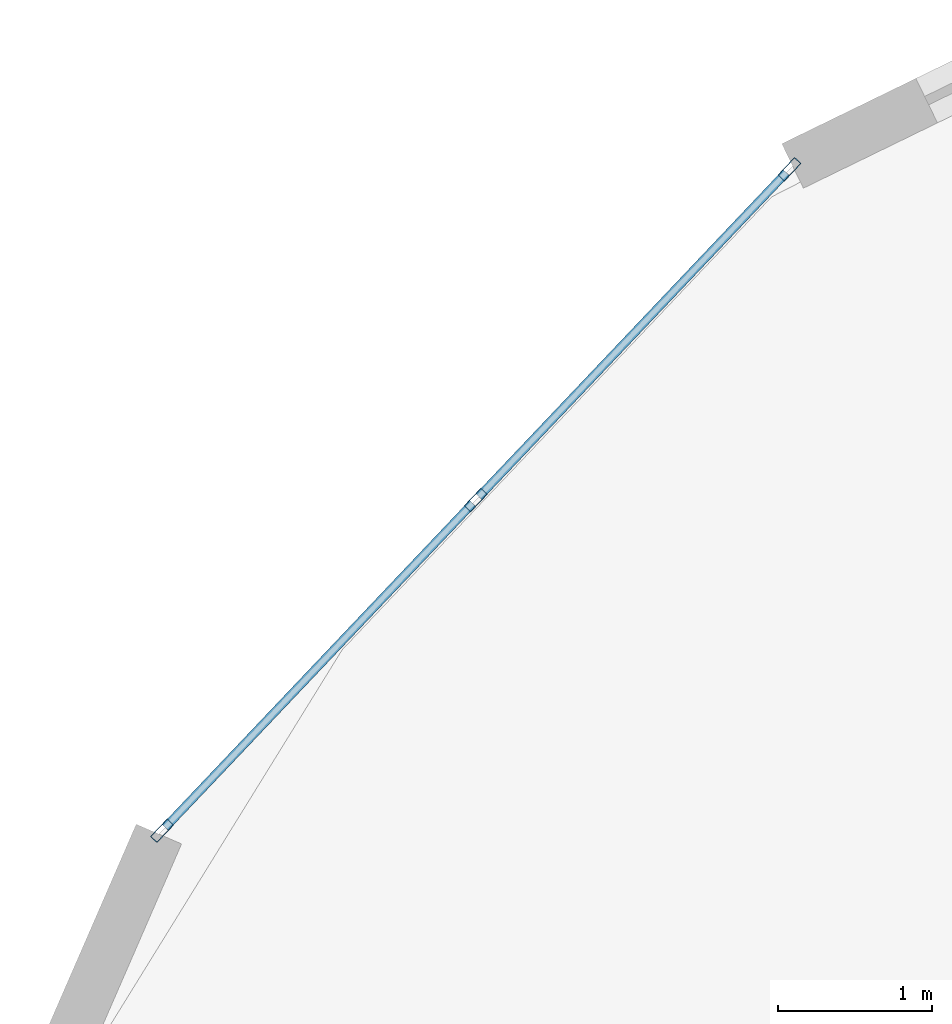
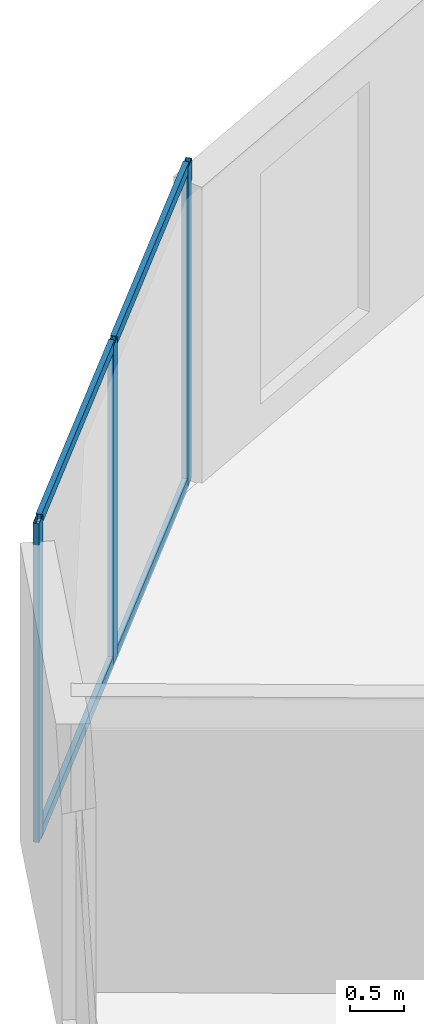
# One storey, part 14 of 23: 7 members, 1 element without a shape of its own.
"""IFC4 building model written with IfcOpenShell, lengths in metres."""

from ifc_helpers import new_model, si_unit, direction, frame, origin, origin_2d, place, context, subcontext, project, spatial, hollow_rectangle, extrude, source, transform, mapped, material, layer, layer_set, material_profile, profile_set, type_object, element, aggregate, save


model = new_model("IFC4")

# Units and contexts
model_context = context("Model", 3, precision=1e-05, world=origin(), true_north=direction((0.0, 1.0)))
body_context = subcontext(model_context, "Body", "Model", "MODEL_VIEW")
ifc_project = project(units=[si_unit("LENGTHUNIT", "METRE"), si_unit("AREAUNIT", "SQUARE_METRE"), si_unit("VOLUMEUNIT", "CUBIC_METRE"), si_unit("PLANEANGLEUNIT", "RADIAN"), si_unit("MASSUNIT", "GRAM", prefix="KILO")], contexts=[model_context])

# Site, building, storey
site_placement = place(None, origin())
site = spatial("IfcSite", under=ifc_project, at=site_placement, CompositionType="ELEMENT")
building_placement = place(site_placement, origin())
building = spatial("IfcBuilding", under=site, at=building_placement, Name="Solvirekh Grand Hotel", CompositionType="ELEMENT")
storey_placement = place(building_placement, frame((0.0, 0.0, 180.39990234375)))
storey = spatial("IfcBuildingStorey", under=building, at=storey_placement, Name="L46", CompositionType="ELEMENT", Elevation=180.39990234375)

# Curtain wall, members
ifc_material = material(Name="Anodized Bronze Aluminium 6063-T6", Category="aluminium")
ifc_layer = layer(ifc_material, 0.159912109375)
ifc_layer_set = layer_set([ifc_layer], Name="Anodized Bronze Aluminium 6063-T6")
curtain_wall_type = type_object("IfcCurtainWallType", Name="CW_Sys4_HighZoneFlushBronzeCW", PredefinedType="NOTDEFINED", material=ifc_layer_set)
curtain_wall_placement = place(storey_placement, origin())
curtain_wall = element("IfcCurtainWall", 1, at=curtain_wall_placement, inside=storey, type_object=curtain_wall_type, Name="L46 unitised bronze-glass curtain wall CW-L46-C11", PredefinedType="NOTDEFINED")
ifc_material_profile_1 = material_profile(ifc_material, hollow_rectangle(XDim=0.06005859375, YDim=0.159912109375, WallThickness=0.0048828125, at=origin_2d()), Name="ALU RHS 160X60X5")
ifc_profile_set_1 = profile_set([ifc_material_profile_1], Name="Anodized Bronze Aluminium 6063-T6")
member_type_1 = type_object("IfcMemberType", Name="CWMullion_Sys4", PredefinedType="MULLION", material=ifc_profile_set_1)
shared_shape_1 = source(origin(), body_context, "Body", "SweptSolid", [
    extrude(hollow_rectangle(XDim=0.06005859375, YDim=0.159912109375, WallThickness=0.0048828125, at=origin_2d()), origin(), (0.0, 0.0, 1.0), 3.60009765625),
])
member_1_placement = place(storey_placement, frame((-14.028564453125, 17.520263671875, 0.0), z_axis=(0.0, 0.0, 1.0), x_axis=(0.725547377968, -0.688172218506, 0.0)))
member_1 = element("IfcMember", 2, at=member_1_placement, type_object=member_type_1, Name="U04 mullion 1", PredefinedType="MULLION", context=body_context, shape_type="MappedRepresentation", body=[
    mapped(shared_shape_1, transform((0.0, 0.0, 0.0), x_axis=(1.0, 0.0, 0.0), y_axis=(0.0, 1.0, 0.0), z_axis=(0.0, 0.0, 1.0), scale=1.0)),
])
member_2_placement = place(storey_placement, frame((-16.06103515625, 15.37744140625, 0.0), z_axis=(0.0, 0.0, 1.0), x_axis=(0.725547377968, -0.688172218506, 0.0)))
member_2 = element("IfcMember", 3, at=member_2_placement, type_object=member_type_1, Name="U04 mullion 2", PredefinedType="MULLION", context=body_context, shape_type="MappedRepresentation", body=[
    mapped(shared_shape_1, transform((0.0, 0.0, 0.0), x_axis=(1.0, 0.0, 0.0), y_axis=(0.0, 1.0, 0.0), z_axis=(0.0, 0.0, 1.0), scale=1.0)),
])
member_3_placement = place(storey_placement, frame((-18.09326171875, 13.23486328125, 0.0), z_axis=(0.0, 0.0, 1.0), x_axis=(0.725547377968, -0.688172218506, 0.0)))
member_3 = element("IfcMember", 4, at=member_3_placement, type_object=member_type_1, Name="U04 mullion 3", PredefinedType="MULLION", context=body_context, shape_type="MappedRepresentation", body=[
    mapped(shared_shape_1, transform((0.0, 0.0, 0.0), x_axis=(1.0, 0.0, 0.0), y_axis=(0.0, 1.0, 0.0), z_axis=(0.0, 0.0, 1.0), scale=1.0)),
])
ifc_material_profile_2 = material_profile(ifc_material, hollow_rectangle(XDim=0.054931640625, YDim=0.1201171875, WallThickness=0.00390625, at=origin_2d()), Name="ALU RHS 120X55X4")
ifc_profile_set_2 = profile_set([ifc_material_profile_2], Name="Anodized Bronze Aluminium 6063-T6")
member_type_2 = type_object("IfcMemberType", Name="CWTransom_Sys4", PredefinedType="USERDEFINED", material=ifc_profile_set_2)
shared_shape_2 = source(origin(), body_context, "Body", "SweptSolid", [
    extrude(hollow_rectangle(XDim=0.054931640625, YDim=0.1201171875, WallThickness=0.00390625, at=origin_2d()), origin(), (0.0, 0.0, 1.0), 2.893310546875),
])
member_4_placement = place(storey_placement, frame((-14.04931640625, 17.49853515625, 0.027587890625), z_axis=(-0.688126053056, -0.725591162505, 0.0), x_axis=(0.725591162505, -0.688126053056, 0.0)))
member_4 = element("IfcMember", 5, at=member_4_placement, type_object=member_type_2, Name="U04 transom 1.1", ObjectType="TRANSOM", PredefinedType="USERDEFINED", context=body_context, shape_type="MappedRepresentation", body=[
    mapped(shared_shape_2, transform((0.0, 0.0, 0.0), x_axis=(1.0, 0.0, 0.0), y_axis=(0.0, 1.0, 0.0), z_axis=(0.0, 0.0, 1.0), scale=1.0)),
])
member_5_placement = place(storey_placement, frame((-14.04931640625, 17.49853515625, 3.572509765625), z_axis=(-0.688126053056, -0.725591162505, 0.0), x_axis=(0.725591162505, -0.688126053056, 0.0)))
member_5 = element("IfcMember", 6, at=member_5_placement, type_object=member_type_2, Name="U04 transom 1.2", ObjectType="TRANSOM", PredefinedType="USERDEFINED", context=body_context, shape_type="MappedRepresentation", body=[
    mapped(shared_shape_2, transform((0.0, 0.0, 0.0), x_axis=(1.0, 0.0, 0.0), y_axis=(0.0, 1.0, 0.0), z_axis=(0.0, 0.0, 1.0), scale=1.0)),
])
member_6_placement = place(storey_placement, frame((-16.08154296875, 15.355712890625, 0.027587890625), z_axis=(-0.68821260471, -0.725509070046, 0.0), x_axis=(0.725509070046, -0.68821260471, 0.0)))
member_6 = element("IfcMember", 7, at=member_6_placement, type_object=member_type_2, Name="U04 transom 2.1", ObjectType="TRANSOM", PredefinedType="USERDEFINED", context=body_context, shape_type="MappedRepresentation", body=[
    mapped(shared_shape_2, transform((0.0, 0.0, 0.0), x_axis=(1.0, 0.0, 0.0), y_axis=(0.0, 1.0, 0.0), z_axis=(0.0, 0.0, 1.0), scale=1.0)),
])
member_7_placement = place(storey_placement, frame((-16.08154296875, 15.355712890625, 3.572509765625), z_axis=(-0.68821260471, -0.725509070046, 0.0), x_axis=(0.725509070046, -0.68821260471, 0.0)))
member_7 = element("IfcMember", 8, at=member_7_placement, type_object=member_type_2, Name="U04 transom 2.2", ObjectType="TRANSOM", PredefinedType="USERDEFINED", context=body_context, shape_type="MappedRepresentation", body=[
    mapped(shared_shape_2, transform((0.0, 0.0, 0.0), x_axis=(1.0, 0.0, 0.0), y_axis=(0.0, 1.0, 0.0), z_axis=(0.0, 0.0, 1.0), scale=1.0)),
])
aggregate(curtain_wall, [member_1, member_2, member_3, member_4, member_5, member_6, member_7])

save(model, "model.ifc")
